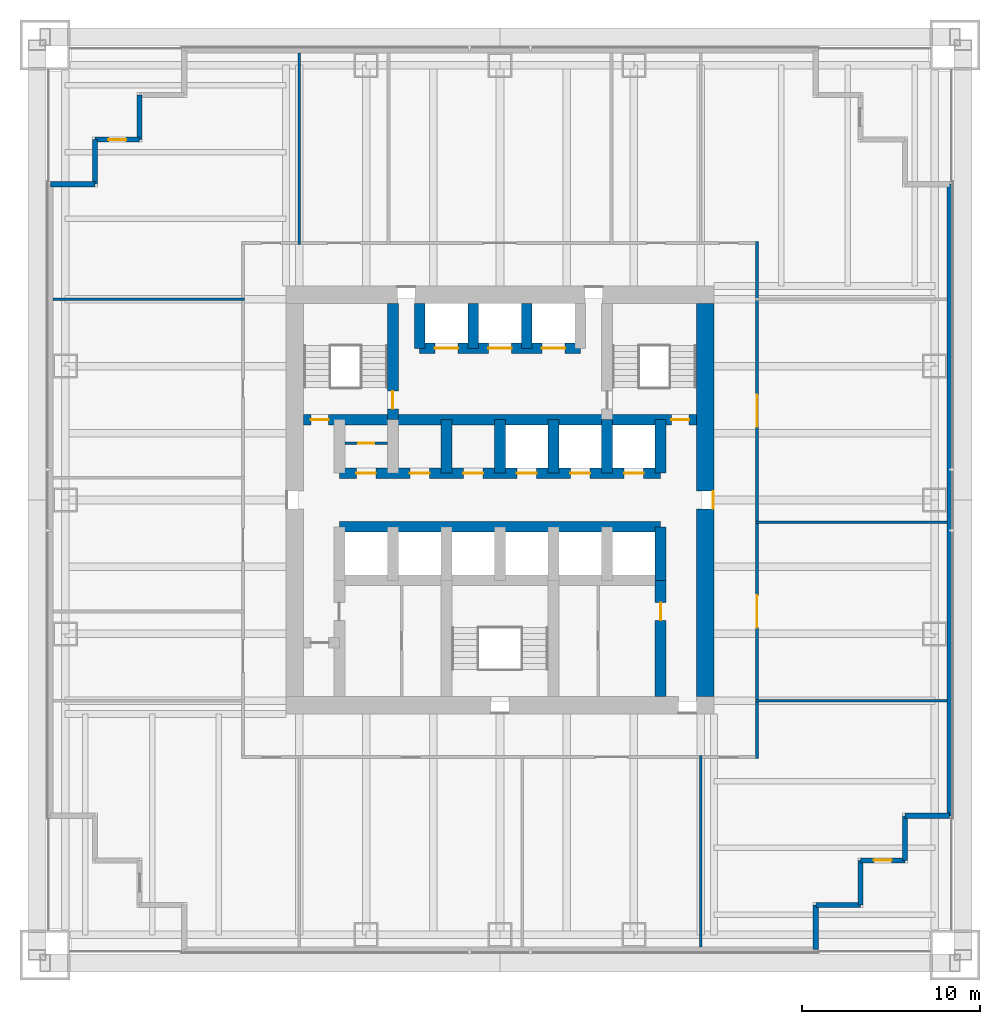
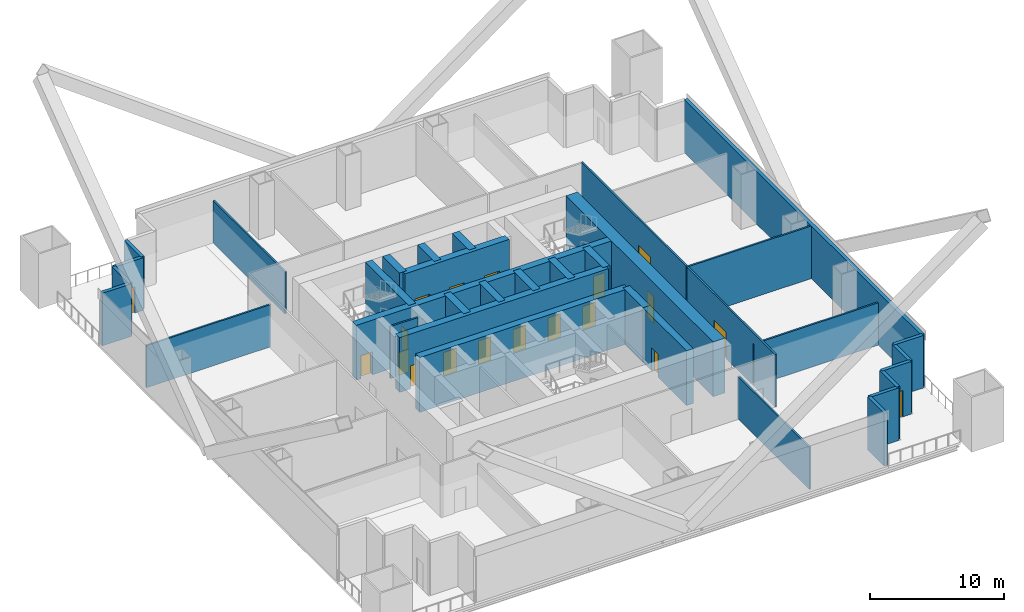
# One storey, part 3 of 7: 34 walls, 19 doors, 19 openings.
"""IFC4 building model written with IfcOpenShell, lengths in metres."""

from ifc_helpers import new_model, si_unit, direction, frame, frame_2d, origin, place, context, subcontext, project, spatial, rectangle, extrude, material, layer, layer_set, type_object, element, fill, save


model = new_model("IFC4")

# Units and contexts
model_context = context("Model", 3, precision=1e-05, world=origin(), true_north=direction((0.0, 1.0)))
body_context = subcontext(model_context, "Body", "Model", "MODEL_VIEW")
ifc_project = project(units=[si_unit("LENGTHUNIT", "METRE"), si_unit("AREAUNIT", "SQUARE_METRE"), si_unit("VOLUMEUNIT", "CUBIC_METRE"), si_unit("PLANEANGLEUNIT", "RADIAN"), si_unit("MASSUNIT", "GRAM", prefix="KILO")], contexts=[model_context])

# Site, building, storey
site_placement = place(None, origin())
site = spatial("IfcSite", under=ifc_project, at=site_placement, CompositionType="ELEMENT")
building_placement = place(site_placement, origin())
building = spatial("IfcBuilding", under=site, at=building_placement, Name="Tarangal Relay Tower", CompositionType="ELEMENT")
storey_placement = place(building_placement, frame((0.0, 0.0, 78.39990234375)))
storey = spatial("IfcBuildingStorey", under=building, at=storey_placement, Name="L15", CompositionType="ELEMENT", Elevation=78.39990234375)

# Wall, openings, doors
ifc_material_1 = material(Name="Concrete fc' 60 MPa", Category="concrete")
ifc_layer_1 = layer(ifc_material_1, 0.60009765625)
ifc_layer_set_1 = layer_set([ifc_layer_1], Name="Core inner wall 600")
wall_type_1 = type_object("IfcWallType", Name="Core inner wall 600", PredefinedType="SHEAR", material=ifc_layer_set_1)
wall_1_placement = place(storey_placement, frame((-11.0, 4.5, 0.0), z_axis=(0.0, 0.0, 1.0), x_axis=(1.0, 0.0, 0.0)))
wall_1 = element("IfcWall", 1, at=wall_1_placement, inside=storey, type_object=wall_type_1, Name="Core wall Y45 L15", PredefinedType="SHEAR", context=body_context, shape_type="SweptSolid", body=[
    extrude(rectangle(XDim=22.0, YDim=0.60009765625, at=frame_2d((11.0, 0.0))), origin(), (0.0, 0.0, 1.0), 5.0),
])
opening_1_placement = place(wall_1_placement, frame((0.39990234375, 0.0, 0.0)))
opening_1 = element("IfcOpeningElement", 2, at=opening_1_placement, cuts=wall_1, Name="Opening FD1", PredefinedType="OPENING", context=body_context, shape_type="SweptSolid", body=[
    extrude(rectangle(XDim=1.0, YDim=2.10009765625, at=frame_2d((0.5, 1.050048828125))), frame((0.0, 0.31005859375, 0.0), z_axis=(0.0, -1.0, 0.0), x_axis=(1.0, 0.0, 0.0)), (0.0, 0.0, 1.0), 0.6201171875),
])
opening_2_placement = place(wall_1_placement, frame((20.60009765625, 0.0, 0.0)))
opening_2 = element("IfcOpeningElement", 3, at=opening_2_placement, cuts=wall_1, Name="Opening FD1", PredefinedType="OPENING", context=body_context, shape_type="SweptSolid", body=[
    extrude(rectangle(XDim=1.0, YDim=2.10009765625, at=frame_2d((0.5, 1.050048828125))), frame((0.0, 0.31005859375, 0.0), z_axis=(0.0, -1.0, 0.0), x_axis=(1.0, 0.0, 0.0)), (0.0, 0.0, 1.0), 0.6201171875),
])
ifc_material_2 = material(Name="Steel door with hardwood frame", Category="steel")
door_type_1 = type_object("IfcDoorType", Name="Fire door 1000 x 2100", OperationType="SINGLE_SWING_LEFT", PredefinedType="DOOR", material=ifc_material_2)
door_1_placement = place(opening_1_placement, origin())
door_1 = element("IfcDoor", 4, at=door_1_placement, inside=storey, type_object=door_type_1, Name="Stair ST-A door from corridor L15", OperationType="SINGLE_SWING_LEFT", OverallHeight=2.10009765625, OverallWidth=1.0, PredefinedType="DOOR", context=body_context, shape_type="SweptSolid", body=[
    extrude(rectangle(XDim=1.0, YDim=2.10009765625, at=frame_2d((0.5, 1.050048828125))), frame((0.0, 0.02490234375, 0.0), z_axis=(0.0, -1.0, 0.0), x_axis=(1.0, 0.0, 0.0)), (0.0, 0.0, 1.0), 0.050048828125),
])
fill(opening_1, door_1)
door_2_placement = place(opening_2_placement, origin())
door_2 = element("IfcDoor", 5, at=door_2_placement, inside=storey, type_object=door_type_1, Name="Stair ST-B door from corridor L15", OperationType="SINGLE_SWING_LEFT", OverallHeight=2.10009765625, OverallWidth=1.0, PredefinedType="DOOR", context=body_context, shape_type="SweptSolid", body=[
    extrude(rectangle(XDim=1.0, YDim=2.10009765625, at=frame_2d((0.5, 1.050048828125))), frame((0.0, 0.02490234375, 0.0), z_axis=(0.0, -1.0, 0.0), x_axis=(1.0, 0.0, 0.0)), (0.0, 0.0, 1.0), 0.050048828125),
])
fill(opening_2, door_2)

wall_2_placement = place(storey_placement, frame((-9.0, 1.5, 0.0), z_axis=(0.0, 0.0, 1.0), x_axis=(1.0, 0.0, 0.0)))
wall_2 = element("IfcWall", 6, at=wall_2_placement, inside=storey, type_object=wall_type_1, Name="Core wall Y15 L15", PredefinedType="SHEAR", context=body_context, shape_type="SweptSolid", body=[
    extrude(rectangle(XDim=18.0, YDim=0.60009765625, at=frame_2d((9.0, 0.0))), origin(), (0.0, 0.0, 1.0), 5.0),
])
opening_3_placement = place(wall_2_placement, frame((9.949951171875, 0.0, 0.0)))
opening_3 = element("IfcOpeningElement", 7, at=opening_3_placement, cuts=wall_2, Name="Opening LD1", PredefinedType="OPENING", context=body_context, shape_type="SweptSolid", body=[
    extrude(rectangle(XDim=1.10009765625, YDim=2.10009765625, at=frame_2d((0.550048828125, 1.050048828125))), frame((0.0, 0.31005859375, 0.0), z_axis=(0.0, -1.0, 0.0), x_axis=(1.0, 0.0, 0.0)), (0.0, 0.0, 1.0), 0.6201171875),
])
opening_4_placement = place(wall_2_placement, frame((12.949951171875, 0.0, 0.0)))
opening_4 = element("IfcOpeningElement", 8, at=opening_4_placement, cuts=wall_2, Name="Opening LD1", PredefinedType="OPENING", context=body_context, shape_type="SweptSolid", body=[
    extrude(rectangle(XDim=1.10009765625, YDim=2.10009765625, at=frame_2d((0.550048828125, 1.050048828125))), frame((0.0, 0.31005859375, 0.0), z_axis=(0.0, -1.0, 0.0), x_axis=(1.0, 0.0, 0.0)), (0.0, 0.0, 1.0), 0.6201171875),
])
opening_5_placement = place(wall_2_placement, frame((15.949951171875, 0.0, 0.0)))
opening_5 = element("IfcOpeningElement", 9, at=opening_5_placement, cuts=wall_2, Name="Opening LD1", PredefinedType="OPENING", context=body_context, shape_type="SweptSolid", body=[
    extrude(rectangle(XDim=1.10009765625, YDim=2.10009765625, at=frame_2d((0.550048828125, 1.050048828125))), frame((0.0, 0.31005859375, 0.0), z_axis=(0.0, -1.0, 0.0), x_axis=(1.0, 0.0, 0.0)), (0.0, 0.0, 1.0), 0.6201171875),
])
opening_6_placement = place(wall_2_placement, frame((0.949951171875, 0.0, 0.0)))
opening_6 = element("IfcOpeningElement", 10, at=opening_6_placement, cuts=wall_2, Name="Opening D4", PredefinedType="OPENING", context=body_context, shape_type="SweptSolid", body=[
    extrude(rectangle(XDim=1.10009765625, YDim=2.10009765625, at=frame_2d((0.550048828125, 1.050048828125))), frame((0.0, 0.31005859375, 0.0), z_axis=(0.0, -1.0, 0.0), x_axis=(1.0, 0.0, 0.0)), (0.0, 0.0, 1.0), 0.6201171875),
])
opening_7_placement = place(wall_2_placement, frame((3.949951171875, 0.0, 0.0)))
opening_7 = element("IfcOpeningElement", 11, at=opening_7_placement, cuts=wall_2, Name="Opening D4", PredefinedType="OPENING", context=body_context, shape_type="SweptSolid", body=[
    extrude(rectangle(XDim=1.10009765625, YDim=2.10009765625, at=frame_2d((0.550048828125, 1.050048828125))), frame((0.0, 0.31005859375, 0.0), z_axis=(0.0, -1.0, 0.0), x_axis=(1.0, 0.0, 0.0)), (0.0, 0.0, 1.0), 0.6201171875),
])
opening_8_placement = place(wall_2_placement, frame((6.949951171875, 0.0, 0.0)))
opening_8 = element("IfcOpeningElement", 12, at=opening_8_placement, cuts=wall_2, Name="Opening D4", PredefinedType="OPENING", context=body_context, shape_type="SweptSolid", body=[
    extrude(rectangle(XDim=1.10009765625, YDim=2.10009765625, at=frame_2d((0.550048828125, 1.050048828125))), frame((0.0, 0.31005859375, 0.0), z_axis=(0.0, -1.0, 0.0), x_axis=(1.0, 0.0, 0.0)), (0.0, 0.0, 1.0), 0.6201171875),
])
door_type_2 = type_object("IfcDoorType", Name="Core room door 1100 x 2100", OperationType="SINGLE_SWING_RIGHT", PredefinedType="DOOR", material=ifc_material_2)
door_3_placement = place(opening_6_placement, origin())
door_3 = element("IfcDoor", 13, at=door_3_placement, inside=storey, type_object=door_type_2, Name="Door D4 to staff pantry L15-D1", OperationType="SINGLE_SWING_RIGHT", OverallHeight=2.10009765625, OverallWidth=1.10009765625, PredefinedType="DOOR", context=body_context, shape_type="SweptSolid", body=[
    extrude(rectangle(XDim=1.10009765625, YDim=2.10009765625, at=frame_2d((0.550048828125, 1.050048828125))), frame((0.0, 0.02490234375, 0.0), z_axis=(0.0, -1.0, 0.0), x_axis=(1.0, 0.0, 0.0)), (0.0, 0.0, 1.0), 0.050048828125),
])
fill(opening_6, door_3)
door_4_placement = place(opening_7_placement, origin())
door_4 = element("IfcDoor", 14, at=door_4_placement, inside=storey, type_object=door_type_2, Name="Door D4 to staff wc L15-D2", OperationType="SINGLE_SWING_RIGHT", OverallHeight=2.10009765625, OverallWidth=1.10009765625, PredefinedType="DOOR", context=body_context, shape_type="SweptSolid", body=[
    extrude(rectangle(XDim=1.10009765625, YDim=2.10009765625, at=frame_2d((0.550048828125, 1.050048828125))), frame((0.0, 0.02490234375, 0.0), z_axis=(0.0, -1.0, 0.0), x_axis=(1.0, 0.0, 0.0)), (0.0, 0.0, 1.0), 0.050048828125),
])
fill(opening_7, door_4)
door_5_placement = place(opening_8_placement, origin())
door_5 = element("IfcDoor", 15, at=door_5_placement, inside=storey, type_object=door_type_2, Name="Door D4 to cleaner's store L15-D3", OperationType="SINGLE_SWING_RIGHT", OverallHeight=2.10009765625, OverallWidth=1.10009765625, PredefinedType="DOOR", context=body_context, shape_type="SweptSolid", body=[
    extrude(rectangle(XDim=1.10009765625, YDim=2.10009765625, at=frame_2d((0.550048828125, 1.050048828125))), frame((0.0, 0.02490234375, 0.0), z_axis=(0.0, -1.0, 0.0), x_axis=(1.0, 0.0, 0.0)), (0.0, 0.0, 1.0), 0.050048828125),
])
fill(opening_8, door_5)
door_type_3 = type_object("IfcDoorType", Name="Lift landing door 1100 x 2100", OperationType="SLIDING_TO_LEFT", PredefinedType="DOOR", material=ifc_material_2)
door_6_placement = place(opening_3_placement, origin())
door_6 = element("IfcDoor", 16, at=door_6_placement, inside=storey, type_object=door_type_3, Name="Lift T1 landing door L15", OperationType="SLIDING_TO_LEFT", OverallHeight=2.10009765625, OverallWidth=1.10009765625, PredefinedType="DOOR", context=body_context, shape_type="SweptSolid", body=[
    extrude(rectangle(XDim=1.10009765625, YDim=2.10009765625, at=frame_2d((0.550048828125, 1.050048828125))), frame((0.0, 0.02490234375, 0.0), z_axis=(0.0, -1.0, 0.0), x_axis=(1.0, 0.0, 0.0)), (0.0, 0.0, 1.0), 0.050048828125),
])
fill(opening_3, door_6)
door_7_placement = place(opening_4_placement, origin())
door_7 = element("IfcDoor", 17, at=door_7_placement, inside=storey, type_object=door_type_3, Name="Lift T2 landing door L15", OperationType="SLIDING_TO_LEFT", OverallHeight=2.10009765625, OverallWidth=1.10009765625, PredefinedType="DOOR", context=body_context, shape_type="SweptSolid", body=[
    extrude(rectangle(XDim=1.10009765625, YDim=2.10009765625, at=frame_2d((0.550048828125, 1.050048828125))), frame((0.0, 0.02490234375, 0.0), z_axis=(0.0, -1.0, 0.0), x_axis=(1.0, 0.0, 0.0)), (0.0, 0.0, 1.0), 0.050048828125),
])
fill(opening_4, door_7)
door_8_placement = place(opening_5_placement, origin())
door_8 = element("IfcDoor", 18, at=door_8_placement, inside=storey, type_object=door_type_3, Name="Lift T3 landing door L15", OperationType="SLIDING_TO_LEFT", OverallHeight=2.10009765625, OverallWidth=1.10009765625, PredefinedType="DOOR", context=body_context, shape_type="SweptSolid", body=[
    extrude(rectangle(XDim=1.10009765625, YDim=2.10009765625, at=frame_2d((0.550048828125, 1.050048828125))), frame((0.0, 0.02490234375, 0.0), z_axis=(0.0, -1.0, 0.0), x_axis=(1.0, 0.0, 0.0)), (0.0, 0.0, 1.0), 0.050048828125),
])
fill(opening_5, door_8)

# Wall
wall_3_placement = place(storey_placement, frame((-9.0, -1.5, 0.0), z_axis=(0.0, 0.0, 1.0), x_axis=(1.0, 0.0, 0.0)))
element("IfcWall", 19, at=wall_3_placement, inside=storey, type_object=wall_type_1, Name="Core wall YM15 L15", PredefinedType="SHEAR", context=body_context, shape_type="SweptSolid", body=[
    extrude(rectangle(XDim=18.0, YDim=0.60009765625, at=frame_2d((9.0, 0.0))), origin(), (0.0, 0.0, 1.0), 5.0),
])

# Wall, openings, doors
wall_4_placement = place(storey_placement, frame((-4.5, 8.5, 0.0), z_axis=(0.0, 0.0, 1.0), x_axis=(1.0, 0.0, 0.0)))
wall_4 = element("IfcWall", 20, at=wall_4_placement, inside=storey, type_object=wall_type_1, Name="Core wall Y85 L15", PredefinedType="SHEAR", context=body_context, shape_type="SweptSolid", body=[
    extrude(rectangle(XDim=9.0, YDim=0.60009765625, at=frame_2d((4.5, 0.0))), origin(), (0.0, 0.0, 1.0), 5.0),
])
opening_9_placement = place(wall_4_placement, frame((0.85009765625, 0.0, 0.0)))
opening_9 = element("IfcOpeningElement", 21, at=opening_9_placement, cuts=wall_4, Name="Opening LD2", PredefinedType="OPENING", context=body_context, shape_type="SweptSolid", body=[
    extrude(rectangle(XDim=1.300048828125, YDim=2.39990234375, at=frame_2d((0.64990234375, 1.199951171875))), frame((0.0, 0.31005859375, 0.0), z_axis=(0.0, -1.0, 0.0), x_axis=(1.0, 0.0, 0.0)), (0.0, 0.0, 1.0), 0.6201171875),
])
opening_10_placement = place(wall_4_placement, frame((6.85009765625, 0.0, 0.0)))
opening_10 = element("IfcOpeningElement", 22, at=opening_10_placement, cuts=wall_4, Name="Opening LD2", PredefinedType="OPENING", context=body_context, shape_type="SweptSolid", body=[
    extrude(rectangle(XDim=1.300048828125, YDim=2.39990234375, at=frame_2d((0.64990234375, 1.199951171875))), frame((0.0, 0.31005859375, 0.0), z_axis=(0.0, -1.0, 0.0), x_axis=(1.0, 0.0, 0.0)), (0.0, 0.0, 1.0), 0.6201171875),
])
opening_11_placement = place(wall_4_placement, frame((3.85009765625, 0.0, 0.0)))
opening_11 = element("IfcOpeningElement", 23, at=opening_11_placement, cuts=wall_4, Name="Opening LD2", PredefinedType="OPENING", context=body_context, shape_type="SweptSolid", body=[
    extrude(rectangle(XDim=1.300048828125, YDim=2.39990234375, at=frame_2d((0.64990234375, 1.199951171875))), frame((0.0, 0.31005859375, 0.0), z_axis=(0.0, -1.0, 0.0), x_axis=(1.0, 0.0, 0.0)), (0.0, 0.0, 1.0), 0.6201171875),
])
door_type_4 = type_object("IfcDoorType", Name="Lift landing door 1300 x 2400", OperationType="SLIDING_TO_LEFT", PredefinedType="DOOR", material=ifc_material_2)
door_9_placement = place(opening_9_placement, origin())
door_9 = element("IfcDoor", 24, at=door_9_placement, inside=storey, type_object=door_type_4, Name="Lift FF1 landing door L15", OperationType="SLIDING_TO_LEFT", OverallHeight=2.39990234375, OverallWidth=1.300048828125, PredefinedType="DOOR", context=body_context, shape_type="SweptSolid", body=[
    extrude(rectangle(XDim=1.300048828125, YDim=2.39990234375, at=frame_2d((0.64990234375, 1.199951171875))), frame((0.0, 0.02490234375, 0.0), z_axis=(0.0, -1.0, 0.0), x_axis=(1.0, 0.0, 0.0)), (0.0, 0.0, 1.0), 0.050048828125),
])
fill(opening_9, door_9)
door_10_placement = place(opening_10_placement, origin())
door_10 = element("IfcDoor", 25, at=door_10_placement, inside=storey, type_object=door_type_4, Name="Lift FF2 landing door L15", OperationType="SLIDING_TO_LEFT", OverallHeight=2.39990234375, OverallWidth=1.300048828125, PredefinedType="DOOR", context=body_context, shape_type="SweptSolid", body=[
    extrude(rectangle(XDim=1.300048828125, YDim=2.39990234375, at=frame_2d((0.64990234375, 1.199951171875))), frame((0.0, 0.02490234375, 0.0), z_axis=(0.0, -1.0, 0.0), x_axis=(1.0, 0.0, 0.0)), (0.0, 0.0, 1.0), 0.050048828125),
])
fill(opening_10, door_10)
door_11_placement = place(opening_11_placement, origin())
door_11 = element("IfcDoor", 26, at=door_11_placement, inside=storey, type_object=door_type_4, Name="Lift SV1 landing door L15", OperationType="SLIDING_TO_LEFT", OverallHeight=2.39990234375, OverallWidth=1.300048828125, PredefinedType="DOOR", context=body_context, shape_type="SweptSolid", body=[
    extrude(rectangle(XDim=1.300048828125, YDim=2.39990234375, at=frame_2d((0.64990234375, 1.199951171875))), frame((0.0, 0.02490234375, 0.0), z_axis=(0.0, -1.0, 0.0), x_axis=(1.0, 0.0, 0.0)), (0.0, 0.0, 1.0), 0.050048828125),
])
fill(opening_11, door_11)

# Walls
for number, where, z_axis, x_axis, name in (
    (27, (9.0, 1.5, 0.0), (0.0, 0.0, 1.0), (0.0, 1.0, 0.0), "Core wall X9N L15"),
    (28, (9.0, -4.5, 0.0), (0.0, 0.0, 1.0), (0.0, 1.0, 0.0), "Core wall X9S L15"),
    (29, (-3.0, 1.5, 0.0), (0.0, 0.0, 1.0), (0.0, 1.0, 0.0), "Core wall XM3N L15"),
    (30, (0.0, 1.5, 0.0), (0.0, 0.0, 1.0), (0.0, 1.0, 0.0), "Core wall X0N L15"),
    (31, (3.0, 1.5, 0.0), (0.0, 0.0, 1.0), (0.0, 1.0, 0.0), "Core wall X3N L15"),
    (32, (6.0, 1.5, 0.0), (0.0, 0.0, 1.0), (0.0, 1.0, 0.0), "Core wall X6N L15"),
):
    element("IfcWall", number, at=place(storey_placement, frame(where, z_axis=z_axis, x_axis=x_axis)), inside=storey, type_object=wall_type_1, Name=name, PredefinedType="SHEAR", context=body_context, shape_type="SweptSolid", body=[
        extrude(rectangle(XDim=3.0, YDim=0.60009765625, at=frame_2d((1.5, 0.0))), origin(), (0.0, 0.0, 1.0), 5.0),
    ])

# Wall, opening, door
wall_5_placement = place(storey_placement, frame((-6.0, 4.5, 0.0), z_axis=(0.0, 0.0, 1.0), x_axis=(0.0, 1.0, 0.0)))
wall_5 = element("IfcWall", 33, at=wall_5_placement, inside=storey, type_object=wall_type_1, Name="Core wall XM6 L15", PredefinedType="SHEAR", context=body_context, shape_type="SweptSolid", body=[
    extrude(rectangle(XDim=6.5, YDim=0.60009765625, at=frame_2d((3.25, 0.0))), origin(), (0.0, 0.0, 1.0), 5.0),
])
opening_12_placement = place(wall_5_placement, frame((0.60009765625, 0.0, 0.0)))
opening_12 = element("IfcOpeningElement", 34, at=opening_12_placement, cuts=wall_5, Name="Opening FD1", PredefinedType="OPENING", context=body_context, shape_type="SweptSolid", body=[
    extrude(rectangle(XDim=1.0, YDim=2.10009765625, at=frame_2d((0.5, 1.050048828125))), frame((0.0, 0.31005859375, 0.0), z_axis=(0.0, -1.0, 0.0), x_axis=(1.0, 0.0, 0.0)), (0.0, 0.0, 1.0), 0.6201171875),
])
door_12_placement = place(opening_12_placement, origin())
door_12 = element("IfcDoor", 35, at=door_12_placement, inside=storey, type_object=door_type_1, Name="Stair ST-A door from fire-fighting lobby L15", OperationType="SINGLE_SWING_LEFT", OverallHeight=2.10009765625, OverallWidth=1.0, PredefinedType="DOOR", context=body_context, shape_type="SweptSolid", body=[
    extrude(rectangle(XDim=1.0, YDim=2.10009765625, at=frame_2d((0.5, 1.050048828125))), frame((0.0, 0.02490234375, 0.0), z_axis=(0.0, -1.0, 0.0), x_axis=(1.0, 0.0, 0.0)), (0.0, 0.0, 1.0), 0.050048828125),
])
fill(opening_12, door_12)

# Walls
for number, where, z_axis, x_axis, name in (
    (36, (-4.5, 8.5, 0.0), (0.0, 0.0, 1.0), (0.0, 1.0, 0.0), "Core wall XM45 L15"),
    (37, (-1.5, 8.5, 0.0), (0.0, 0.0, 1.0), (0.0, 1.0, 0.0), "Core wall XM15 L15"),
    (38, (1.5, 8.5, 0.0), (0.0, 0.0, 1.0), (0.0, 1.0, 0.0), "Core wall X15 L15"),
):
    element("IfcWall", number, at=place(storey_placement, frame(where, z_axis=z_axis, x_axis=x_axis)), inside=storey, type_object=wall_type_1, Name=name, PredefinedType="SHEAR", context=body_context, shape_type="SweptSolid", body=[
        extrude(rectangle(XDim=2.5, YDim=0.60009765625, at=frame_2d((1.25, 0.0))), origin(), (0.0, 0.0, 1.0), 5.0),
    ])

# Wall, opening, door
wall_6_placement = place(storey_placement, frame((9.0, -11.0, 0.0), z_axis=(0.0, 0.0, 1.0), x_axis=(0.0, 1.0, 0.0)))
wall_6 = element("IfcWall", 39, at=wall_6_placement, inside=storey, type_object=wall_type_1, Name="Core wall X9W L15", PredefinedType="SHEAR", context=body_context, shape_type="SweptSolid", body=[
    extrude(rectangle(XDim=6.5, YDim=0.60009765625, at=frame_2d((3.25, 0.0))), origin(), (0.0, 0.0, 1.0), 5.0),
])
opening_13_placement = place(wall_6_placement, frame((4.25, 0.0, 0.0)))
opening_13 = element("IfcOpeningElement", 40, at=opening_13_placement, cuts=wall_6, Name="Opening D1", PredefinedType="OPENING", context=body_context, shape_type="SweptSolid", body=[
    extrude(rectangle(XDim=1.0, YDim=2.10009765625, at=frame_2d((0.5, 1.050048828125))), frame((0.0, 0.31005859375, 0.0), z_axis=(0.0, -1.0, 0.0), x_axis=(1.0, 0.0, 0.0)), (0.0, 0.0, 1.0), 0.6201171875),
])
ifc_material_3 = material(Name="Hardwood door", Category="wood")
door_type_5 = type_object("IfcDoorType", Name="WC door 1000 x 2100", OperationType="SINGLE_SWING_LEFT", PredefinedType="DOOR", material=ifc_material_3)
door_13_placement = place(opening_13_placement, origin())
door_13 = element("IfcDoor", 41, at=door_13_placement, inside=storey, type_object=door_type_5, Name="Female WC door L15", OperationType="SINGLE_SWING_LEFT", OverallHeight=2.10009765625, OverallWidth=1.0, PredefinedType="DOOR", context=body_context, shape_type="SweptSolid", body=[
    extrude(rectangle(XDim=1.0, YDim=2.10009765625, at=frame_2d((0.5, 1.050048828125))), frame((0.0, 0.02490234375, 0.0), z_axis=(0.0, -1.0, 0.0), x_axis=(1.0, 0.0, 0.0)), (0.0, 0.0, 1.0), 0.050048828125),
])
fill(opening_13, door_13)

ifc_layer_2 = layer(ifc_material_1, 1.0)
ifc_layer_set_2 = layer_set([ifc_layer_2], Name="Core wall 1000")
wall_type_2 = type_object("IfcWallType", Name="Core wall 1000", PredefinedType="SHEAR", material=ifc_layer_set_2)
wall_7_placement = place(storey_placement, frame((11.5, 11.0, 0.0), z_axis=(0.0, 0.0, 1.0), x_axis=(0.0, -1.0, 0.0)))
wall_7 = element("IfcWall", 42, at=wall_7_placement, inside=storey, type_object=wall_type_2, Name="Core wall E L15", PredefinedType="SHEAR", context=body_context, shape_type="SweptSolid", body=[
    extrude(rectangle(XDim=22.0, YDim=1.0, at=frame_2d((11.0, 0.0))), origin(), (0.0, 0.0, 1.0), 5.0),
])
opening_14_placement = place(wall_7_placement, frame((10.5, 0.0, 0.0)))
opening_14 = element("IfcOpeningElement", 43, at=opening_14_placement, cuts=wall_7, Name="Opening FD3", PredefinedType="OPENING", context=body_context, shape_type="SweptSolid", body=[
    extrude(rectangle(XDim=1.0, YDim=2.39990234375, at=frame_2d((0.5, 1.199951171875))), frame((0.0, 0.510009765625, 0.0), z_axis=(0.0, -1.0, 0.0), x_axis=(1.0, 0.0, 0.0)), (0.0, 0.0, 1.0), 1.02001953125),
])
door_type_6 = type_object("IfcDoorType", Name="Fire door 1000 x 2400 core entry", OperationType="SINGLE_SWING_RIGHT", PredefinedType="DOOR", material=ifc_material_2)
door_14_placement = place(opening_14_placement, origin())
door_14 = element("IfcDoor", 44, at=door_14_placement, inside=storey, type_object=door_type_6, Name="Core entry door east L15", OperationType="SINGLE_SWING_RIGHT", OverallHeight=2.39990234375, OverallWidth=1.0, PredefinedType="DOOR", context=body_context, shape_type="SweptSolid", body=[
    extrude(rectangle(XDim=1.0, YDim=2.39990234375, at=frame_2d((0.5, 1.199951171875))), frame((0.0, 0.48486328125, 0.0), z_axis=(0.0, -1.0, 0.0), x_axis=(1.0, 0.0, 0.0)), (0.0, 0.0, 1.0), 0.050048828125),
])
fill(opening_14, door_14)

# Walls
ifc_material_4 = material(Name="Insulated precast concrete fc' 40 MPa", Category="concrete")
ifc_layer_3 = layer(ifc_material_4, 0.300048828125)
ifc_layer_set_3 = layer_set([ifc_layer_3], Name="Insulated precast concrete fc' 40 MPa")
wall_type_3 = type_object("IfcWallType", Name="Facade wall precast 300", PredefinedType="SOLIDWALL", material=ifc_layer_set_3)
wall_8_placement = place(storey_placement, frame((25.199951171875, 17.699951171875, 0.0), z_axis=(0.0, 0.0, 1.0), x_axis=(0.0, -1.0, 0.0)))
element("IfcWall", 45, at=wall_8_placement, inside=storey, type_object=wall_type_3, Name="Facade wall E facade L15", PredefinedType="SOLIDWALL", context=body_context, shape_type="SweptSolid", body=[
    extrude(rectangle(XDim=35.39990234375, YDim=0.300048828125, at=frame_2d((17.699951171875, 0.0))), origin(), (0.0, 0.0, 1.0), 4.800048828125),
])
for number, where, z_axis, x_axis, name in (
    (46, (25.199951171875, -17.699951171875, 0.0), (0.0, 0.0, 1.0), (-1.0, 0.0, 0.0), "Facade wall E facade L15"),
    (47, (22.699951171875, -17.699951171875, 0.0), (0.0, 0.0, 1.0), (0.0, -1.0, 0.0), "Facade wall E facade L15"),
):
    element("IfcWall", number, at=place(storey_placement, frame(where, z_axis=z_axis, x_axis=x_axis)), inside=storey, type_object=wall_type_3, Name=name, PredefinedType="SOLIDWALL", context=body_context, shape_type="SweptSolid", body=[
        extrude(rectangle(XDim=2.5, YDim=0.300048828125, at=frame_2d((1.25, 0.0))), origin(), (0.0, 0.0, 1.0), 4.800048828125),
    ])

# Wall, opening, door
wall_9_placement = place(storey_placement, frame((22.699951171875, -20.199951171875, 0.0), z_axis=(0.0, 0.0, 1.0), x_axis=(-1.0, 0.0, 0.0)))
wall_9 = element("IfcWall", 48, at=wall_9_placement, inside=storey, type_object=wall_type_3, Name="Facade wall E facade L15", PredefinedType="SOLIDWALL", context=body_context, shape_type="SweptSolid", body=[
    extrude(rectangle(XDim=2.5, YDim=0.300048828125, at=frame_2d((1.25, 0.0))), origin(), (0.0, 0.0, 1.0), 4.800048828125),
])
opening_15_placement = place(wall_9_placement, frame((0.75, 0.0, 0.0)))
opening_15 = element("IfcOpeningElement", 49, at=opening_15_placement, cuts=wall_9, Name="Opening TD1", PredefinedType="OPENING", context=body_context, shape_type="SweptSolid", body=[
    extrude(rectangle(XDim=1.0, YDim=2.39990234375, at=frame_2d((0.5, 1.199951171875))), frame((0.0, 0.159912109375, 0.0), z_axis=(0.0, -1.0, 0.0), x_axis=(1.0, 0.0, 0.0)), (0.0, 0.0, 1.0), 0.320068359375),
])
ifc_material_5 = material(Name="Aluminium glazed door", Category="aluminium")
door_type_7 = type_object("IfcDoorType", Name="Terrace door 1000 x 2400", OperationType="SINGLE_SWING_RIGHT", PredefinedType="DOOR", material=ifc_material_5)
door_15_placement = place(opening_15_placement, origin())
door_15 = element("IfcDoor", 50, at=door_15_placement, inside=storey, type_object=door_type_7, Name="Terrace door TD1 SE L15", OperationType="SINGLE_SWING_RIGHT", OverallHeight=2.39990234375, OverallWidth=1.0, PredefinedType="DOOR", context=body_context, shape_type="SweptSolid", body=[
    extrude(rectangle(XDim=1.0, YDim=2.39990234375, at=frame_2d((0.5, 1.199951171875))), frame((0.0, 0.02490234375, 0.0), z_axis=(0.0, -1.0, 0.0), x_axis=(1.0, 0.0, 0.0)), (0.0, 0.0, 1.0), 0.050048828125),
])
fill(opening_15, door_15)

# Walls
for number, where, z_axis, x_axis, name in (
    (51, (20.199951171875, -20.199951171875, 0.0), (0.0, 0.0, 1.0), (0.0, -1.0, 0.0), "Facade wall E facade L15"),
    (52, (20.199951171875, -22.699951171875, 0.0), (0.0, 0.0, 1.0), (-1.0, 0.0, 0.0), "Facade wall E facade L15"),
    (53, (17.699951171875, -22.699951171875, 0.0), (0.0, 0.0, 1.0), (0.0, -1.0, 0.0), "Facade wall E facade L15"),
    (54, (-25.199951171875, 17.699951171875, 0.0), (0.0, 0.0, 1.0), (1.0, 0.0, 0.0), "Facade wall W facade L15"),
    (55, (-22.699951171875, 17.699951171875, 0.0), (0.0, 0.0, 1.0), (0.0, 1.0, 0.0), "Facade wall W facade L15"),
):
    element("IfcWall", number, at=place(storey_placement, frame(where, z_axis=z_axis, x_axis=x_axis)), inside=storey, type_object=wall_type_3, Name=name, PredefinedType="SOLIDWALL", context=body_context, shape_type="SweptSolid", body=[
        extrude(rectangle(XDim=2.5, YDim=0.300048828125, at=frame_2d((1.25, 0.0))), origin(), (0.0, 0.0, 1.0), 4.800048828125),
    ])

# Wall, opening, door
wall_10_placement = place(storey_placement, frame((-22.699951171875, 20.199951171875, 0.0), z_axis=(0.0, 0.0, 1.0), x_axis=(1.0, 0.0, 0.0)))
wall_10 = element("IfcWall", 56, at=wall_10_placement, inside=storey, type_object=wall_type_3, Name="Facade wall W facade L15", PredefinedType="SOLIDWALL", context=body_context, shape_type="SweptSolid", body=[
    extrude(rectangle(XDim=2.5, YDim=0.300048828125, at=frame_2d((1.25, 0.0))), origin(), (0.0, 0.0, 1.0), 4.800048828125),
])
opening_16_placement = place(wall_10_placement, frame((0.75, 0.0, 0.0)))
opening_16 = element("IfcOpeningElement", 57, at=opening_16_placement, cuts=wall_10, Name="Opening TD1", PredefinedType="OPENING", context=body_context, shape_type="SweptSolid", body=[
    extrude(rectangle(XDim=1.0, YDim=2.39990234375, at=frame_2d((0.5, 1.199951171875))), frame((0.0, 0.159912109375, 0.0), z_axis=(0.0, -1.0, 0.0), x_axis=(1.0, 0.0, 0.0)), (0.0, 0.0, 1.0), 0.320068359375),
])
door_16_placement = place(opening_16_placement, origin())
door_16 = element("IfcDoor", 58, at=door_16_placement, inside=storey, type_object=door_type_7, Name="Terrace door TD1 NW L15", OperationType="SINGLE_SWING_RIGHT", OverallHeight=2.39990234375, OverallWidth=1.0, PredefinedType="DOOR", context=body_context, shape_type="SweptSolid", body=[
    extrude(rectangle(XDim=1.0, YDim=2.39990234375, at=frame_2d((0.5, 1.199951171875))), frame((0.0, 0.02490234375, 0.0), z_axis=(0.0, -1.0, 0.0), x_axis=(1.0, 0.0, 0.0)), (0.0, 0.0, 1.0), 0.050048828125),
])
fill(opening_16, door_16)

# Walls
wall_11_placement = place(storey_placement, frame((-20.199951171875, 20.199951171875, 0.0), z_axis=(0.0, 0.0, 1.0), x_axis=(0.0, 1.0, 0.0)))
element("IfcWall", 59, at=wall_11_placement, inside=storey, type_object=wall_type_3, Name="Facade wall W facade L15", PredefinedType="SOLIDWALL", context=body_context, shape_type="SweptSolid", body=[
    extrude(rectangle(XDim=2.5, YDim=0.300048828125, at=frame_2d((1.25, 0.0))), origin(), (0.0, 0.0, 1.0), 4.800048828125),
])
ifc_material_6 = material(Name="Gypsum board on steel studs", Category="steel")
ifc_layer_4 = layer(ifc_material_6, 0.14990234375)
ifc_layer_set_4 = layer_set([ifc_layer_4], Name="Partition 150")
wall_type_4 = type_object("IfcWallType", Name="Partition 150", PredefinedType="PARTITIONING", material=ifc_layer_set_4)
wall_12_placement = place(storey_placement, frame((14.324951171875, -11.25, 0.0), z_axis=(0.0, 0.0, 1.0), x_axis=(1.0, 0.0, 0.0)))
element("IfcWall", 60, at=wall_12_placement, inside=storey, type_object=wall_type_4, Name="Partition PT1 L15", PredefinedType="PARTITIONING", context=body_context, shape_type="SweptSolid", body=[
    extrude(rectangle(XDim=10.72509765625, YDim=0.14990234375, at=frame_2d((5.362548828125, 0.0))), origin(), (0.0, 0.0, 1.0), 3.852783203125),
])
wall_13_placement = place(storey_placement, frame((14.324951171875, -1.25, 0.0), z_axis=(0.0, 0.0, 1.0), x_axis=(1.0, 0.0, 0.0)))
element("IfcWall", 61, at=wall_13_placement, inside=storey, type_object=wall_type_4, Name="Partition PT1 L15", PredefinedType="PARTITIONING", context=body_context, shape_type="SweptSolid", body=[
    extrude(rectangle(XDim=10.72509765625, YDim=0.14990234375, at=frame_2d((5.362548828125, 0.0))), origin(), (0.0, 0.0, 1.0), 4.800048828125),
])
for number, where, z_axis, x_axis, name in (
    (62, (-25.050048828125, 11.25, 0.0), (0.0, 0.0, 1.0), (1.0, 0.0, 0.0), "Partition PT1 L15"),
    (63, (-11.25, 14.324951171875, 0.0), (0.0, 0.0, 1.0), (0.0, 1.0, 0.0), "Partition PT1 L15"),
    (64, (11.25, -25.050048828125, 0.0), (0.0, 0.0, 1.0), (0.0, 1.0, 0.0), "Partition PT1 L15"),
):
    element("IfcWall", number, at=place(storey_placement, frame(where, z_axis=z_axis, x_axis=x_axis)), inside=storey, type_object=wall_type_4, Name=name, PredefinedType="PARTITIONING", context=body_context, shape_type="SweptSolid", body=[
        extrude(rectangle(XDim=10.72509765625, YDim=0.14990234375, at=frame_2d((5.362548828125, 0.0))), origin(), (0.0, 0.0, 1.0), 3.852783203125),
    ])

# Wall, openings, doors
wall_14_placement = place(storey_placement, frame((14.39990234375, -14.47509765625, 0.0), z_axis=(0.0, 0.0, 1.0), x_axis=(0.0, 1.0, 0.0)))
wall_14 = element("IfcWall", 65, at=wall_14_placement, inside=storey, type_object=wall_type_4, Name="Partition PT1 L15", PredefinedType="PARTITIONING", context=body_context, shape_type="SweptSolid", body=[
    extrude(rectangle(XDim=28.9501953125, YDim=0.14990234375, at=frame_2d((14.47509765625, 0.0))), origin(), (0.0, 0.0, 1.0), 4.800048828125),
])
opening_17_placement = place(wall_14_placement, frame((18.574951171875, 0.0, 0.0)))
opening_17 = element("IfcOpeningElement", 66, at=opening_17_placement, cuts=wall_14, Name="Opening DD1", PredefinedType="OPENING", context=body_context, shape_type="SweptSolid", body=[
    extrude(rectangle(XDim=1.800048828125, YDim=2.39990234375, at=frame_2d((0.89990234375, 1.199951171875))), frame((0.0, 0.0849609375, 0.0), z_axis=(0.0, -1.0, 0.0), x_axis=(1.0, 0.0, 0.0)), (0.0, 0.0, 1.0), 0.169921875),
])
opening_18_placement = place(wall_14_placement, frame((7.324951171875, 0.0, 0.0)))
opening_18 = element("IfcOpeningElement", 67, at=opening_18_placement, cuts=wall_14, Name="Opening DD1", PredefinedType="OPENING", context=body_context, shape_type="SweptSolid", body=[
    extrude(rectangle(XDim=1.800048828125, YDim=2.39990234375, at=frame_2d((0.89990234375, 1.199951171875))), frame((0.0, 0.0849609375, 0.0), z_axis=(0.0, -1.0, 0.0), x_axis=(1.0, 0.0, 0.0)), (0.0, 0.0, 1.0), 0.169921875),
])
door_type_8 = type_object("IfcDoorType", Name="Equipment double door 1800 x 2400", OperationType="DOUBLE_DOOR_SINGLE_SWING", PredefinedType="DOOR", material=ifc_material_2)
door_17_placement = place(opening_17_placement, origin())
door_17 = element("IfcDoor", 68, at=door_17_placement, inside=storey, type_object=door_type_8, Name="Door DD1 to data hall L15-05", OperationType="DOUBLE_DOOR_SINGLE_SWING", OverallHeight=2.39990234375, OverallWidth=1.800048828125, PredefinedType="DOOR", context=body_context, shape_type="SweptSolid", body=[
    extrude(rectangle(XDim=1.800048828125, YDim=2.39990234375, at=frame_2d((0.89990234375, 1.199951171875))), frame((0.0, 0.02490234375, 0.0), z_axis=(0.0, -1.0, 0.0), x_axis=(1.0, 0.0, 0.0)), (0.0, 0.0, 1.0), 0.050048828125),
])
fill(opening_17, door_17)
door_18_placement = place(opening_18_placement, origin())
door_18 = element("IfcDoor", 69, at=door_18_placement, inside=storey, type_object=door_type_8, Name="Door DD1 to network equipment room L15-06", OperationType="DOUBLE_DOOR_SINGLE_SWING", OverallHeight=2.39990234375, OverallWidth=1.800048828125, PredefinedType="DOOR", context=body_context, shape_type="SweptSolid", body=[
    extrude(rectangle(XDim=1.800048828125, YDim=2.39990234375, at=frame_2d((0.89990234375, 1.199951171875))), frame((0.0, 0.02490234375, 0.0), z_axis=(0.0, -1.0, 0.0), x_axis=(1.0, 0.0, 0.0)), (0.0, 0.0, 1.0), 0.050048828125),
])
fill(opening_18, door_18)

# Wall, opening, door
wall_15_placement = place(storey_placement, frame((-8.699951171875, 3.175048828125, 0.0), z_axis=(0.0, 0.0, 1.0), x_axis=(1.0, 0.0, 0.0)))
wall_15 = element("IfcWall", 70, at=wall_15_placement, inside=storey, type_object=wall_type_4, Name="Partition PT1 L15", PredefinedType="PARTITIONING", context=body_context, shape_type="SweptSolid", body=[
    extrude(rectangle(XDim=2.39990234375, YDim=0.14990234375, at=frame_2d((1.199951171875, 0.0))), origin(), (0.0, 0.0, 1.0), 4.75),
])
opening_19_placement = place(wall_15_placement, frame((0.75, 0.0, 0.0)))
opening_19 = element("IfcOpeningElement", 71, at=opening_19_placement, cuts=wall_15, Name="Opening D5", PredefinedType="OPENING", context=body_context, shape_type="SweptSolid", body=[
    extrude(rectangle(XDim=0.89990234375, YDim=2.10009765625, at=frame_2d((0.449951171875, 1.050048828125))), frame((0.0, 0.0849609375, 0.0), z_axis=(0.0, -1.0, 0.0), x_axis=(1.0, 0.0, 0.0)), (0.0, 0.0, 1.0), 0.169921875),
])
door_type_9 = type_object("IfcDoorType", Name="Cupboard door 900 x 2100", OperationType="SINGLE_SWING_LEFT", PredefinedType="DOOR", material=ifc_material_3)
door_19_placement = place(opening_19_placement, origin())
door_19 = element("IfcDoor", 72, at=door_19_placement, inside=storey, type_object=door_type_9, Name="Door D5 to pantry cupboard L15-D1B", OperationType="SINGLE_SWING_LEFT", OverallHeight=2.10009765625, OverallWidth=0.89990234375, PredefinedType="DOOR", context=body_context, shape_type="SweptSolid", body=[
    extrude(rectangle(XDim=0.89990234375, YDim=2.10009765625, at=frame_2d((0.449951171875, 1.050048828125))), frame((0.0, 0.02490234375, 0.0), z_axis=(0.0, -1.0, 0.0), x_axis=(1.0, 0.0, 0.0)), (0.0, 0.0, 1.0), 0.050048828125),
])
fill(opening_19, door_19)

save(model, "model.ifc")
